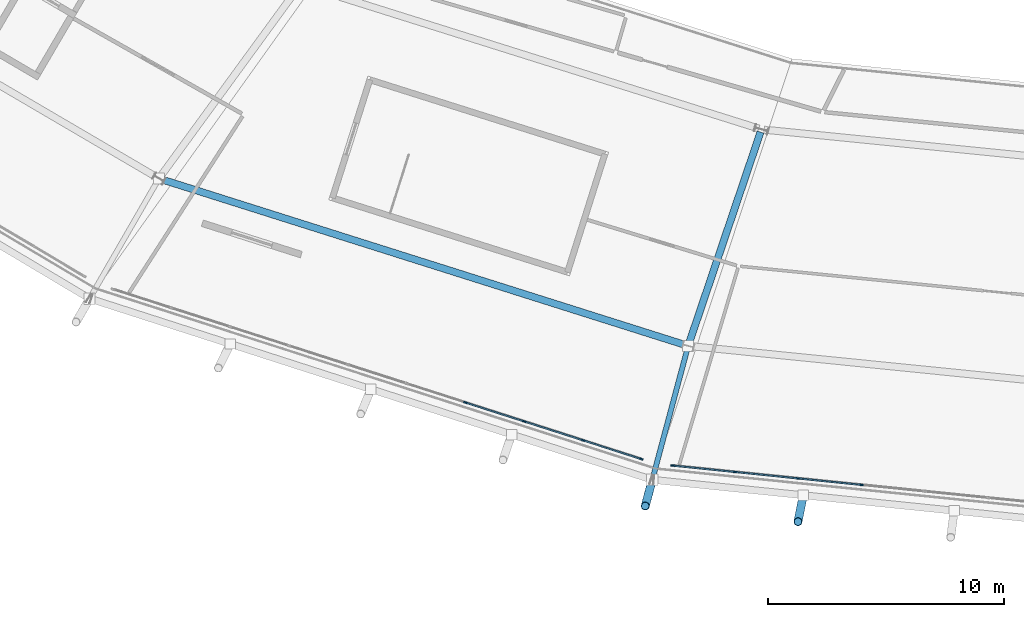
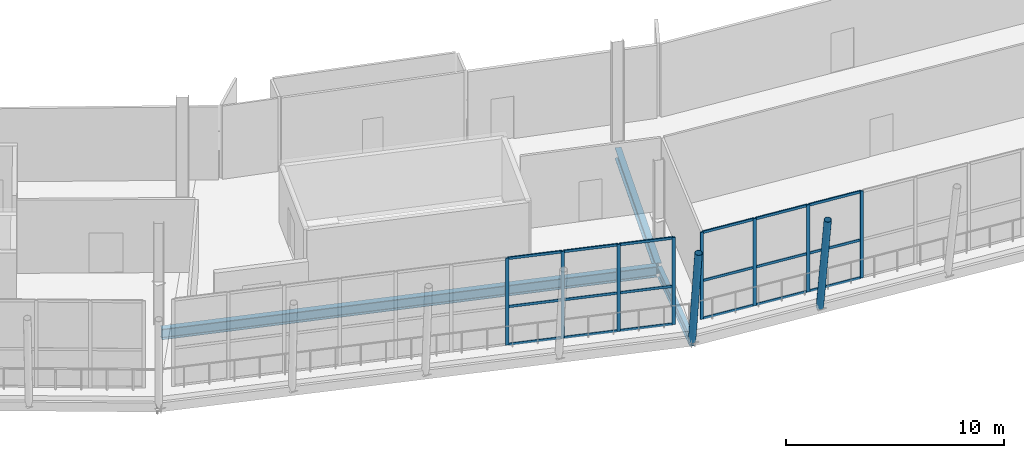
# One storey, part 20 of 99: 28 members, 3 beams, 2 elements without a shape of their own.
"""IFC4 building model written with IfcOpenShell, lengths in metres."""

from ifc_helpers import new_model, si_unit, direction, frame, origin, origin_2d, place, context, subcontext, project, spatial, rectangle, hollow_circle, i_section, extrude, material, material_profile, profile_set, type_object, element, aggregate, save


model = new_model("IFC4")

# Units and contexts
model_context = context("Model", 3, precision=1e-05, world=origin(), true_north=direction((0.0, 1.0)))
body_context = subcontext(model_context, "Body", "Model", "MODEL_VIEW")
ifc_project = project(units=[si_unit("LENGTHUNIT", "METRE"), si_unit("AREAUNIT", "SQUARE_METRE"), si_unit("VOLUMEUNIT", "CUBIC_METRE"), si_unit("PLANEANGLEUNIT", "RADIAN"), si_unit("MASSUNIT", "GRAM", prefix="KILO")], contexts=[model_context])

# Site, building, storey
site_placement = place(None, origin())
site = spatial("IfcSite", under=ifc_project, at=site_placement, CompositionType="ELEMENT")
building_placement = place(site_placement, origin())
building = spatial("IfcBuilding", under=site, at=building_placement, Name="Zlatoyarsky Gate Stadium", CompositionType="ELEMENT")
storey_placement = place(building_placement, frame((0.0, 0.0, 26.199951171875)))
storey = spatial("IfcBuildingStorey", under=building, at=storey_placement, Name="L05", CompositionType="ELEMENT", Elevation=26.199951171875)

# Curtain wall, members
ifc_material_1 = material(Name="Thermally broken anodised aluminium curtain wall", Category="aluminium")
curtain_wall_type = type_object("IfcCurtainWallType", Name="UNITISED SKYBOX RING GLAZING L05", PredefinedType="USERDEFINED", material=ifc_material_1)
curtain_wall_1_placement = place(storey_placement, origin())
curtain_wall_1 = element("IfcCurtainWall", 1, at=curtain_wall_1_placement, inside=storey, type_object=curtain_wall_type, Name="Curtain wall CW-L05-16", ObjectType="UNITISED GLAZING", PredefinedType="USERDEFINED")
ifc_material_2 = material(Name="Anodised aluminium 6063-T6", Category="aluminium")
ifc_material_profile_1 = material_profile(ifc_material_2, rectangle(XDim=0.06494140625, YDim=0.159912109375, at=origin_2d()), Name="ALU 65X160")
ifc_profile_set_1 = profile_set([ifc_material_profile_1], Name="Anodised aluminium 6063-T6")
member_type_1 = type_object("IfcMemberType", Name="ALUMINIUM MULLION 65X160", PredefinedType="MULLION", material=ifc_profile_set_1)
member_1_placement = place(storey_placement, frame((77.490478515625, 9.020751953125, 0.0), z_axis=(0.0, 0.0, 1.0), x_axis=(0.305978007283, 0.952038580657, 0.0)))
member_1 = element("IfcMember", 2, at=member_1_placement, type_object=member_type_1, Name="CW-UG5 mullion 7", PredefinedType="MULLION", context=body_context, shape_type="SweptSolid", body=[
    extrude(rectangle(XDim=0.06494140625, YDim=0.159912109375, at=origin_2d()), origin(), (0.0, 0.0, 1.0), 4.880126953125),
])
member_2_placement = place(storey_placement, frame((79.98388671875, 8.21923828125, 0.0), z_axis=(0.0, 0.0, 1.0), x_axis=(0.305978007283, 0.952038580657, 0.0)))
member_2 = element("IfcMember", 3, at=member_2_placement, type_object=member_type_1, Name="CW-UG5 mullion 8", PredefinedType="MULLION", context=body_context, shape_type="SweptSolid", body=[
    extrude(rectangle(XDim=0.06494140625, YDim=0.159912109375, at=origin_2d()), origin(), (0.0, 0.0, 1.0), 4.880126953125),
])
member_3_placement = place(storey_placement, frame((82.477294921875, 7.41796875, 0.0), z_axis=(0.0, 0.0, 1.0), x_axis=(0.305978007283, 0.952038580657, 0.0)))
member_3 = element("IfcMember", 4, at=member_3_placement, type_object=member_type_1, Name="CW-UG5 mullion 9", PredefinedType="MULLION", context=body_context, shape_type="SweptSolid", body=[
    extrude(rectangle(XDim=0.06494140625, YDim=0.159912109375, at=origin_2d()), origin(), (0.0, 0.0, 1.0), 4.880126953125),
])
member_4_placement = place(storey_placement, frame((84.93994140625, 6.62646484375, 0.0), z_axis=(0.0, 0.0, 1.0), x_axis=(0.305978007283, 0.952038580657, 0.0)))
member_4 = element("IfcMember", 5, at=member_4_placement, type_object=member_type_1, Name="CW-UG5 mullion 10", PredefinedType="MULLION", context=body_context, shape_type="SweptSolid", body=[
    extrude(rectangle(XDim=0.06494140625, YDim=0.159912109375, at=origin_2d()), origin(), (0.0, 0.0, 1.0), 4.880126953125),
])

curtain_wall_2_placement = place(storey_placement, origin())
curtain_wall_2 = element("IfcCurtainWall", 6, at=curtain_wall_2_placement, inside=storey, type_object=curtain_wall_type, Name="Curtain wall CW-L05-17", ObjectType="UNITISED GLAZING", PredefinedType="USERDEFINED")
member_5_placement = place(storey_placement, frame((86.2685546875, 6.34814453125, 0.0), z_axis=(0.0, 0.0, 1.0), x_axis=(0.101618248063, 0.994823467586, 0.0)))
member_5 = element("IfcMember", 7, at=member_5_placement, type_object=member_type_1, Name="CW-UG5 mullion 1", PredefinedType="MULLION", context=body_context, shape_type="SweptSolid", body=[
    extrude(rectangle(XDim=0.06494140625, YDim=0.159912109375, at=origin_2d()), origin(), (0.0, 0.0, 1.0), 4.880126953125),
])
member_6_placement = place(storey_placement, frame((88.915771484375, 6.077880859375, 0.0), z_axis=(0.0, 0.0, 1.0), x_axis=(0.101618248063, 0.994823467586, 0.0)))
member_6 = element("IfcMember", 8, at=member_6_placement, type_object=member_type_1, Name="CW-UG5 mullion 2", PredefinedType="MULLION", context=body_context, shape_type="SweptSolid", body=[
    extrude(rectangle(XDim=0.06494140625, YDim=0.159912109375, at=origin_2d()), origin(), (0.0, 0.0, 1.0), 4.880126953125),
])
member_7_placement = place(storey_placement, frame((91.595458984375, 5.803955078125, 0.0), z_axis=(0.0, 0.0, 1.0), x_axis=(0.101618248063, 0.994823467586, 0.0)))
member_7 = element("IfcMember", 9, at=member_7_placement, type_object=member_type_1, Name="CW-UG5 mullion 3", PredefinedType="MULLION", context=body_context, shape_type="SweptSolid", body=[
    extrude(rectangle(XDim=0.06494140625, YDim=0.159912109375, at=origin_2d()), origin(), (0.0, 0.0, 1.0), 4.880126953125),
])
member_8_placement = place(storey_placement, frame((94.275146484375, 5.5302734375, 0.0), z_axis=(0.0, 0.0, 1.0), x_axis=(0.101618248063, 0.994823467586, 0.0)))
member_8 = element("IfcMember", 10, at=member_8_placement, type_object=member_type_1, Name="CW-UG5 mullion 4", PredefinedType="MULLION", context=body_context, shape_type="SweptSolid", body=[
    extrude(rectangle(XDim=0.06494140625, YDim=0.159912109375, at=origin_2d()), origin(), (0.0, 0.0, 1.0), 4.880126953125),
])

# Member
ifc_material_profile_2 = material_profile(ifc_material_2, rectangle(XDim=0.06494140625, YDim=0.139892578125, at=origin_2d()), Name="ALU 65X140")
ifc_profile_set_2 = profile_set([ifc_material_profile_2], Name="Anodised aluminium 6063-T6")
member_type_2 = type_object("IfcMemberType", Name="ALUMINIUM TRANSOM 65X140", PredefinedType="USERDEFINED", material=ifc_profile_set_2)
member_9_placement = place(storey_placement, frame((77.521484375, 9.0107421875, 0.032470703125), z_axis=(0.952031545133, -0.305999897176, 0.0), x_axis=(0.305999897176, 0.952031545133, 0.0)))
member_9 = element("IfcMember", 11, at=member_9_placement, type_object=member_type_2, Name="CW-UG5 transom 7.1", ObjectType="TRANSOM", PredefinedType="USERDEFINED", context=body_context, shape_type="SweptSolid", body=[
    extrude(rectangle(XDim=0.06494140625, YDim=0.139892578125, at=origin_2d()), origin(), (0.0, 0.0, 1.0), 2.553955078125),
])

member_10_placement = place(storey_placement, frame((77.521484375, 9.0107421875, 2.150146484375), z_axis=(0.952031545133, -0.305999897176, 0.0), x_axis=(0.305999897176, 0.952031545133, 0.0)))
member_10 = element("IfcMember", 12, at=member_10_placement, type_object=member_type_2, Name="CW-UG5 transom 7.2", ObjectType="TRANSOM", PredefinedType="USERDEFINED", context=body_context, shape_type="SweptSolid", body=[
    extrude(rectangle(XDim=0.06494140625, YDim=0.139892578125, at=origin_2d()), origin(), (0.0, 0.0, 1.0), 2.553955078125),
])

member_11_placement = place(storey_placement, frame((77.521484375, 9.0107421875, 4.84765625), z_axis=(0.952031545133, -0.305999897176, 0.0), x_axis=(0.305999897176, 0.952031545133, 0.0)))
member_11 = element("IfcMember", 13, at=member_11_placement, type_object=member_type_2, Name="CW-UG5 transom 7.3", ObjectType="TRANSOM", PredefinedType="USERDEFINED", context=body_context, shape_type="SweptSolid", body=[
    extrude(rectangle(XDim=0.06494140625, YDim=0.139892578125, at=origin_2d()), origin(), (0.0, 0.0, 1.0), 2.553955078125),
])

member_12_placement = place(storey_placement, frame((80.014892578125, 8.209228515625, 0.032470703125), z_axis=(0.952031545133, -0.305999897176, 0.0), x_axis=(0.305999897176, 0.952031545133, 0.0)))
member_12 = element("IfcMember", 14, at=member_12_placement, type_object=member_type_2, Name="CW-UG5 transom 8.1", ObjectType="TRANSOM", PredefinedType="USERDEFINED", context=body_context, shape_type="SweptSolid", body=[
    extrude(rectangle(XDim=0.06494140625, YDim=0.139892578125, at=origin_2d()), origin(), (0.0, 0.0, 1.0), 2.553955078125),
])

member_13_placement = place(storey_placement, frame((80.014892578125, 8.209228515625, 2.150146484375), z_axis=(0.952031545133, -0.305999897176, 0.0), x_axis=(0.305999897176, 0.952031545133, 0.0)))
member_13 = element("IfcMember", 15, at=member_13_placement, type_object=member_type_2, Name="CW-UG5 transom 8.2", ObjectType="TRANSOM", PredefinedType="USERDEFINED", context=body_context, shape_type="SweptSolid", body=[
    extrude(rectangle(XDim=0.06494140625, YDim=0.139892578125, at=origin_2d()), origin(), (0.0, 0.0, 1.0), 2.553955078125),
])

member_14_placement = place(storey_placement, frame((80.014892578125, 8.209228515625, 4.84765625), z_axis=(0.952031545133, -0.305999897176, 0.0), x_axis=(0.305999897176, 0.952031545133, 0.0)))
member_14 = element("IfcMember", 16, at=member_14_placement, type_object=member_type_2, Name="CW-UG5 transom 8.3", ObjectType="TRANSOM", PredefinedType="USERDEFINED", context=body_context, shape_type="SweptSolid", body=[
    extrude(rectangle(XDim=0.06494140625, YDim=0.139892578125, at=origin_2d()), origin(), (0.0, 0.0, 1.0), 2.553955078125),
])

member_15_placement = place(storey_placement, frame((82.50830078125, 7.407958984375, 0.032470703125), z_axis=(0.952045685445, -0.305955900133, 0.0), x_axis=(0.305955900133, 0.952045685445, 0.0)))
member_15 = element("IfcMember", 17, at=member_15_placement, type_object=member_type_2, Name="CW-UG5 transom 9.1", ObjectType="TRANSOM", PredefinedType="USERDEFINED", context=body_context, shape_type="SweptSolid", body=[
    extrude(rectangle(XDim=0.06494140625, YDim=0.139892578125, at=origin_2d()), origin(), (0.0, 0.0, 1.0), 2.521484375),
])

member_16_placement = place(storey_placement, frame((82.50830078125, 7.407958984375, 2.150146484375), z_axis=(0.952045685445, -0.305955900133, 0.0), x_axis=(0.305955900133, 0.952045685445, 0.0)))
member_16 = element("IfcMember", 18, at=member_16_placement, type_object=member_type_2, Name="CW-UG5 transom 9.2", ObjectType="TRANSOM", PredefinedType="USERDEFINED", context=body_context, shape_type="SweptSolid", body=[
    extrude(rectangle(XDim=0.06494140625, YDim=0.139892578125, at=origin_2d()), origin(), (0.0, 0.0, 1.0), 2.521484375),
])

member_17_placement = place(storey_placement, frame((82.50830078125, 7.407958984375, 4.84765625), z_axis=(0.952045685445, -0.305955900133, 0.0), x_axis=(0.305955900133, 0.952045685445, 0.0)))
member_17 = element("IfcMember", 19, at=member_17_placement, type_object=member_type_2, Name="CW-UG5 transom 9.3", ObjectType="TRANSOM", PredefinedType="USERDEFINED", context=body_context, shape_type="SweptSolid", body=[
    extrude(rectangle(XDim=0.06494140625, YDim=0.139892578125, at=origin_2d()), origin(), (0.0, 0.0, 1.0), 2.521484375),
])

aggregate(curtain_wall_1, [member_1, member_2, member_3, member_4, member_9, member_10, member_11, member_12, member_13, member_14, member_15, member_16, member_17])

member_18_placement = place(storey_placement, frame((86.30078125, 6.344970703125, 0.032470703125), z_axis=(0.994819790569, -0.101654238927, 0.0), x_axis=(0.101654238927, 0.994819790569, 0.0)))
member_18 = element("IfcMember", 20, at=member_18_placement, type_object=member_type_2, Name="CW-UG5 transom 1.1", ObjectType="TRANSOM", PredefinedType="USERDEFINED", context=body_context, shape_type="SweptSolid", body=[
    extrude(rectangle(XDim=0.06494140625, YDim=0.139892578125, at=origin_2d()), origin(), (0.0, 0.0, 1.0), 2.59619140625),
])

member_19_placement = place(storey_placement, frame((86.30078125, 6.344970703125, 2.150146484375), z_axis=(0.994819790569, -0.101654238927, 0.0), x_axis=(0.101654238927, 0.994819790569, 0.0)))
member_19 = element("IfcMember", 21, at=member_19_placement, type_object=member_type_2, Name="CW-UG5 transom 1.2", ObjectType="TRANSOM", PredefinedType="USERDEFINED", context=body_context, shape_type="SweptSolid", body=[
    extrude(rectangle(XDim=0.06494140625, YDim=0.139892578125, at=origin_2d()), origin(), (0.0, 0.0, 1.0), 2.59619140625),
])

member_20_placement = place(storey_placement, frame((86.30078125, 6.344970703125, 4.84765625), z_axis=(0.994819790569, -0.101654238927, 0.0), x_axis=(0.101654238927, 0.994819790569, 0.0)))
member_20 = element("IfcMember", 22, at=member_20_placement, type_object=member_type_2, Name="CW-UG5 transom 1.3", ObjectType="TRANSOM", PredefinedType="USERDEFINED", context=body_context, shape_type="SweptSolid", body=[
    extrude(rectangle(XDim=0.06494140625, YDim=0.139892578125, at=origin_2d()), origin(), (0.0, 0.0, 1.0), 2.59619140625),
])

member_21_placement = place(storey_placement, frame((88.9482421875, 6.074462890625, 0.032470703125), z_axis=(0.994824375324, -0.101609361087, 0.0), x_axis=(0.101609361087, 0.994824375324, 0.0)))
member_21 = element("IfcMember", 23, at=member_21_placement, type_object=member_type_2, Name="CW-UG5 transom 2.1", ObjectType="TRANSOM", PredefinedType="USERDEFINED", context=body_context, shape_type="SweptSolid", body=[
    extrude(rectangle(XDim=0.06494140625, YDim=0.139892578125, at=origin_2d()), origin(), (0.0, 0.0, 1.0), 2.628662109375),
])

member_22_placement = place(storey_placement, frame((88.9482421875, 6.074462890625, 2.150146484375), z_axis=(0.994824375324, -0.101609361087, 0.0), x_axis=(0.101609361087, 0.994824375324, 0.0)))
member_22 = element("IfcMember", 24, at=member_22_placement, type_object=member_type_2, Name="CW-UG5 transom 2.2", ObjectType="TRANSOM", PredefinedType="USERDEFINED", context=body_context, shape_type="SweptSolid", body=[
    extrude(rectangle(XDim=0.06494140625, YDim=0.139892578125, at=origin_2d()), origin(), (0.0, 0.0, 1.0), 2.628662109375),
])

member_23_placement = place(storey_placement, frame((88.9482421875, 6.074462890625, 4.84765625), z_axis=(0.994824375324, -0.101609361087, 0.0), x_axis=(0.101609361087, 0.994824375324, 0.0)))
member_23 = element("IfcMember", 25, at=member_23_placement, type_object=member_type_2, Name="CW-UG5 transom 2.3", ObjectType="TRANSOM", PredefinedType="USERDEFINED", context=body_context, shape_type="SweptSolid", body=[
    extrude(rectangle(XDim=0.06494140625, YDim=0.139892578125, at=origin_2d()), origin(), (0.0, 0.0, 1.0), 2.628662109375),
])

member_24_placement = place(storey_placement, frame((91.6279296875, 5.80078125, 0.032470703125), z_axis=(0.994824375324, -0.101609361087, 0.0), x_axis=(0.101609361087, 0.994824375324, 0.0)))
member_24 = element("IfcMember", 26, at=member_24_placement, type_object=member_type_2, Name="CW-UG5 transom 3.1", ObjectType="TRANSOM", PredefinedType="USERDEFINED", context=body_context, shape_type="SweptSolid", body=[
    extrude(rectangle(XDim=0.06494140625, YDim=0.139892578125, at=origin_2d()), origin(), (0.0, 0.0, 1.0), 2.628662109375),
])

member_25_placement = place(storey_placement, frame((91.6279296875, 5.80078125, 2.150146484375), z_axis=(0.994824375324, -0.101609361087, 0.0), x_axis=(0.101609361087, 0.994824375324, 0.0)))
member_25 = element("IfcMember", 27, at=member_25_placement, type_object=member_type_2, Name="CW-UG5 transom 3.2", ObjectType="TRANSOM", PredefinedType="USERDEFINED", context=body_context, shape_type="SweptSolid", body=[
    extrude(rectangle(XDim=0.06494140625, YDim=0.139892578125, at=origin_2d()), origin(), (0.0, 0.0, 1.0), 2.628662109375),
])

member_26_placement = place(storey_placement, frame((91.6279296875, 5.80078125, 4.84765625), z_axis=(0.994824375324, -0.101609361087, 0.0), x_axis=(0.101609361087, 0.994824375324, 0.0)))
member_26 = element("IfcMember", 28, at=member_26_placement, type_object=member_type_2, Name="CW-UG5 transom 3.3", ObjectType="TRANSOM", PredefinedType="USERDEFINED", context=body_context, shape_type="SweptSolid", body=[
    extrude(rectangle(XDim=0.06494140625, YDim=0.139892578125, at=origin_2d()), origin(), (0.0, 0.0, 1.0), 2.628662109375),
])

aggregate(curtain_wall_2, [member_5, member_6, member_7, member_8, member_18, member_19, member_20, member_21, member_22, member_23, member_24, member_25, member_26])

# Beam
ifc_material_3 = material(Name="Steel S355", Category="steel")
ifc_material_profile_3 = material_profile(ifc_material_3, i_section(OverallWidth=0.219970703125, OverallDepth=0.60009765625, WebThickness=0.011962890625, FlangeThickness=0.01904296875, FilletRadius=0.02392578125, at=origin_2d()), Name="IPE 600")
ifc_profile_set_3 = profile_set([ifc_material_profile_3], Name="Steel S355")
beam_type_1 = type_object("IfcBeamType", Name="STEEL CANTILEVER FLOOR BEAM IPE 600", PredefinedType="BEAM", material=ifc_profile_set_3)
beam_1_placement = place(storey_placement, frame((86.898681640625, 11.303466796875, -0.56005859375), z_axis=(-0.258802489691, -0.965930262146, 0.0), x_axis=(0.965930262146, -0.258802489691, 0.0)))
element("IfcBeam", 29, at=beam_1_placement, inside=storey, type_object=beam_type_1, Name="Beam B-IPE600 BM-L05-OUT-17", PredefinedType="BEAM", context=body_context, shape_type="SweptSolid", body=[
    extrude(i_section(OverallWidth=0.219970703125, OverallDepth=0.60009765625, WebThickness=0.011962890625, FlangeThickness=0.01904296875, FilletRadius=0.02392578125, at=origin_2d()), origin(), (0.0, 0.0, 1.0), 5.75830078125),
])

# Members
ifc_material_profile_4 = material_profile(ifc_material_3, hollow_circle(Radius=0.177734375, WallThickness=0.02001953125, at=origin_2d()), Name="CHS 355.6X20")
ifc_profile_set_4 = profile_set([ifc_material_profile_4], Name="Steel S355")
member_type_3 = type_object("IfcMemberType", Name="STEEL LEANING RIB RING STRUT CHS 355.6X20", PredefinedType="STRUT", material=ifc_profile_set_4)
member_27_placement = place(storey_placement, frame((85.408447265625, 5.741455078125, -0.56005859375), z_axis=(-0.051093460038, -0.190625969034, 0.980332187716), x_axis=(0.965906333777, -0.258891781195, 0.0)))
element("IfcMember", 30, at=member_27_placement, inside=storey, type_object=member_type_3, Name="Upper leaning rib ring strut 17", PredefinedType="STRUT", context=body_context, shape_type="SweptSolid", body=[
    extrude(hollow_circle(Radius=0.177734375, WallThickness=0.02001953125, at=origin_2d()), origin(), (0.0, 0.0, 1.0), 5.82470703125),
])
member_28_placement = place(storey_placement, frame((91.806396484375, 5.086669921875, -0.510009765625), z_axis=(-0.038644527624, -0.19402597075, 0.980234932636), x_axis=(0.980736540858, -0.195335192492, 0.0)))
element("IfcMember", 31, at=member_28_placement, inside=storey, type_object=member_type_3, Name="Outward-leaning bowl louvre fin rib L05 17-1", PredefinedType="STRUT", context=body_context, shape_type="SweptSolid", body=[
    extrude(hollow_circle(Radius=0.177734375, WallThickness=0.02001953125, at=origin_2d()), origin(), (0.0, 0.0, 1.0), 5.774169921875),
])

# Beams
ifc_material_profile_5 = material_profile(ifc_material_3, i_section(OverallWidth=0.300048828125, OverallDepth=0.60009765625, WebThickness=0.015380859375, FlangeThickness=0.030029296875, FilletRadius=0.027099609375, at=origin_2d()), Name="HEB 600")
ifc_profile_set_5 = profile_set([ifc_material_profile_5], Name="Steel S355")
beam_type_2 = type_object("IfcBeamType", Name="STEEL PRIMARY GIRDER HEB 600", PredefinedType="BEAM", material=ifc_profile_set_5)
beam_2_placement = place(storey_placement, frame((64.614501953125, 18.47607421875, -0.56005859375), z_axis=(0.953463107403, -0.301509706015, 0.0), x_axis=(0.301509706015, 0.953463107403, 0.0)))
element("IfcBeam", 32, at=beam_2_placement, inside=storey, type_object=beam_type_2, Name="Beam G-HEB600 BM-L05-CRC-16", PredefinedType="BEAM", context=body_context, shape_type="SweptSolid", body=[
    extrude(i_section(OverallWidth=0.300048828125, OverallDepth=0.60009765625, WebThickness=0.015380859375, FlangeThickness=0.030029296875, FilletRadius=0.027099609375, at=origin_2d()), origin(), (0.0, 0.0, 1.0), 23.284423828125),
])
beam_3_placement = place(storey_placement, frame((89.997314453125, 20.48193359375, -0.56005859375), z_axis=(-0.320612225581, -0.947210536686, 0.0), x_axis=(0.947210536686, -0.320612225581, 0.0)))
element("IfcBeam", 33, at=beam_3_placement, inside=storey, type_object=beam_type_2, Name="Beam G-HEB600 BM-L05-RBC-17", PredefinedType="BEAM", context=body_context, shape_type="SweptSolid", body=[
    extrude(i_section(OverallWidth=0.300048828125, OverallDepth=0.60009765625, WebThickness=0.015380859375, FlangeThickness=0.030029296875, FilletRadius=0.027099609375, at=origin_2d()), origin(), (0.0, 0.0, 1.0), 9.44775390625),
])

save(model, "model.ifc")
